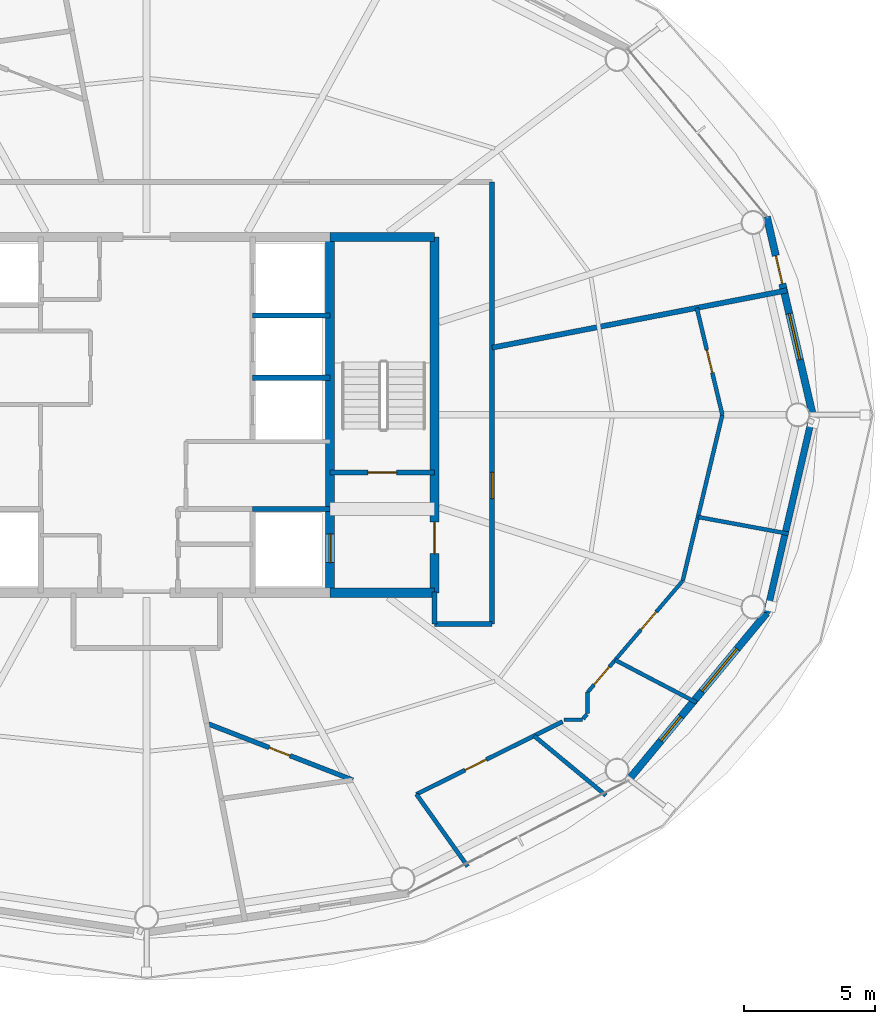
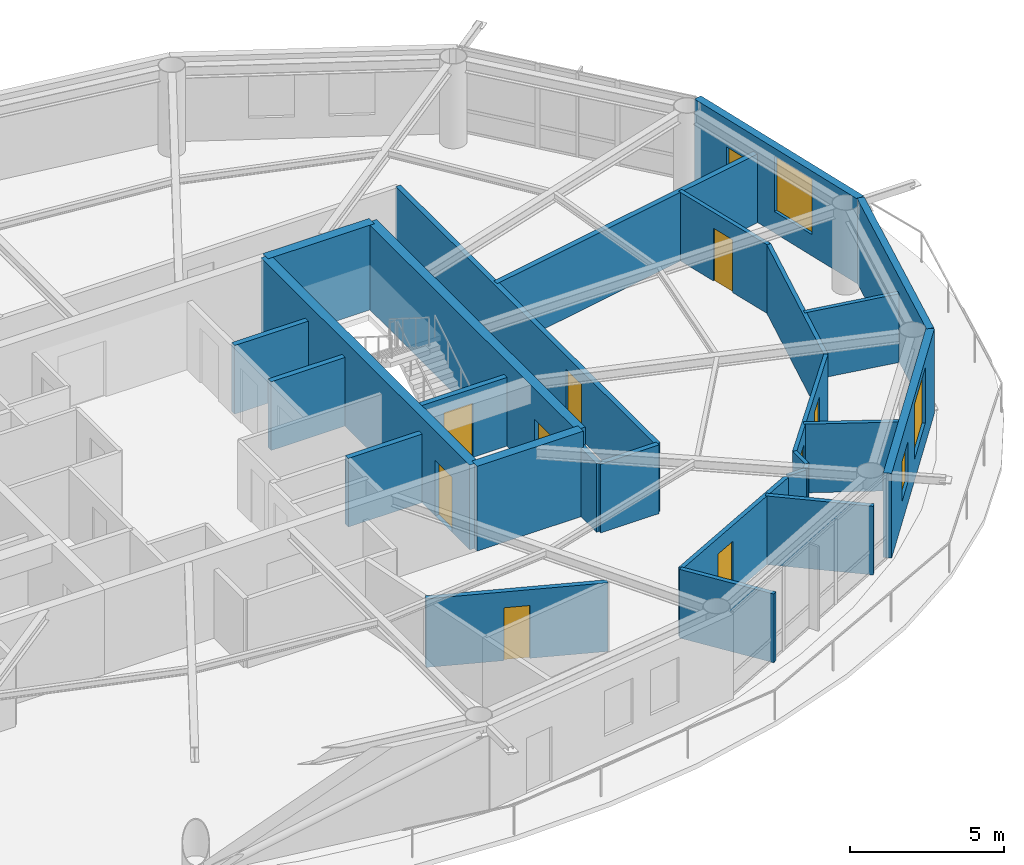
# One storey, part 17 of 21: 27 walls, 10 doors, 3 windows, 13 openings.
"""IFC4 building model written with IfcOpenShell, lengths in metres."""

from ifc_helpers import new_model, si_unit, direction, frame, frame_2d, origin, place, context, subcontext, project, spatial, rectangle, extrude, material, layer, layer_set, type_object, element, fill, save


model = new_model("IFC4")

# Units and contexts
model_context = context("Model", 3, precision=1e-05, world=origin(), true_north=direction((0.0, 1.0)))
body_context = subcontext(model_context, "Body", "Model", "MODEL_VIEW")
ifc_project = project(units=[si_unit("LENGTHUNIT", "METRE"), si_unit("AREAUNIT", "SQUARE_METRE"), si_unit("VOLUMEUNIT", "CUBIC_METRE"), si_unit("PLANEANGLEUNIT", "RADIAN"), si_unit("MASSUNIT", "GRAM", prefix="KILO")], contexts=[model_context])

# Site, building, storey
site_placement = place(None, origin())
site = spatial("IfcSite", under=ifc_project, at=site_placement, CompositionType="ELEMENT")
building_placement = place(site_placement, origin())
building = spatial("IfcBuilding", under=site, at=building_placement, Name="Sarneth Arch Tower", CompositionType="ELEMENT")
storey_placement = place(building_placement, frame((0.0, 0.0, 309.0)))
storey = spatial("IfcBuildingStorey", under=building, at=storey_placement, Name="L80", CompositionType="ELEMENT", Elevation=309.0)

# Walls
ifc_material_1 = material(Name="Concrete C50/60", Category="concrete")
ifc_layer_1 = layer(ifc_material_1, 0.35009765625)
ifc_layer_set_1 = layer_set([ifc_layer_1], Name="Concrete C50/60")
wall_type_1 = type_object("IfcWallType", Name="WALL-CORE-350", PredefinedType="SHEAR", material=ifc_layer_set_1)
for number, where, z_axis, x_axis, name in (
    (1, (55.0, 35.199951171875, 0.0), (0.0, 0.0, 1.0), (1.0, 0.0, 0.0), "L80 Core shear wall S-E"),
    (2, (55.0, 48.800048828125, 0.0), (0.0, 0.0, 1.0), (1.0, 0.0, 0.0), "L80 Core shear wall N-E"),
):
    element("IfcWall", number, at=place(storey_placement, frame(where, z_axis=z_axis, x_axis=x_axis)), inside=storey, type_object=wall_type_1, Name=name, PredefinedType="SHEAR", context=body_context, shape_type="SweptSolid", body=[
        extrude(rectangle(XDim=4.0, YDim=0.35009765625, at=frame_2d((2.0, 0.0))), origin(), (0.0, 0.0, 1.0), 3.3701171875),
    ])

# Wall, opening, door
wall_1_placement = place(storey_placement, frame((59.0, 35.199951171875, 0.0), z_axis=(0.0, 0.0, 1.0), x_axis=(0.0, 1.0, 0.0)))
wall_1 = element("IfcWall", 3, at=wall_1_placement, inside=storey, type_object=wall_type_1, Name="L80 Core shear wall E", PredefinedType="SHEAR", context=body_context, shape_type="SweptSolid", body=[
    extrude(rectangle(XDim=13.60009765625, YDim=0.35009765625, at=frame_2d((6.800048828125, 0.0))), origin(), (0.0, 0.0, 1.0), 3.3701171875),
])
opening_1_placement = place(wall_1_placement, frame((1.5, 0.0, 0.0)))
opening_1 = element("IfcOpeningElement", 4, at=opening_1_placement, cuts=wall_1, Name="Opening FD-02", PredefinedType="OPENING", context=body_context, shape_type="SweptSolid", body=[
    extrude(rectangle(XDim=1.199951171875, YDim=2.14990234375, at=frame_2d((0.60009765625, 1.074951171875))), frame((0.0, 0.18505859375, 0.0), z_axis=(0.0, -1.0, 0.0), x_axis=(1.0, 0.0, 0.0)), (0.0, 0.0, 1.0), 0.3701171875),
])
ifc_material_2 = material(Name="Galvanised Steel S275 fire door set", Category="steel")
door_type_1 = type_object("IfcDoorType", Name="DR-FD90-1200", OperationType="SINGLE_SWING_LEFT", PredefinedType="DOOR", material=ifc_material_2)
door_1_placement = place(opening_1_placement, origin())
door_1 = element("IfcDoor", 5, at=door_1_placement, inside=storey, type_object=door_type_1, Name="L80 Firefighting lobby 2 exit door", OperationType="SINGLE_SWING_RIGHT", OverallHeight=2.14990234375, OverallWidth=1.199951171875, PredefinedType="DOOR", context=body_context, shape_type="SweptSolid", body=[
    extrude(rectangle(XDim=1.199951171875, YDim=2.14990234375, at=frame_2d((0.60009765625, 1.074951171875))), frame((0.0, 0.02490234375, 0.0), z_axis=(0.0, -1.0, 0.0), x_axis=(1.0, 0.0, 0.0)), (0.0, 0.0, 1.0), 0.050048828125),
])
fill(opening_1, door_1)

wall_2_placement = place(storey_placement, frame((55.0, 35.199951171875, 0.0), z_axis=(0.0, 0.0, 1.0), x_axis=(0.0, 1.0, 0.0)))
wall_2 = element("IfcWall", 6, at=wall_2_placement, inside=storey, type_object=wall_type_1, Name="L80 Core shear wall WEB-E", PredefinedType="SHEAR", context=body_context, shape_type="SweptSolid", body=[
    extrude(rectangle(XDim=13.60009765625, YDim=0.35009765625, at=frame_2d((6.800048828125, 0.0))), origin(), (0.0, 0.0, 1.0), 3.3701171875),
])
opening_2_placement = place(wall_2_placement, frame((1.14990234375, 0.0, 0.0)))
opening_2 = element("IfcOpeningElement", 7, at=opening_2_placement, cuts=wall_2, Name="Opening LD-1", PredefinedType="OPENING", context=body_context, shape_type="SweptSolid", body=[
    extrude(rectangle(XDim=1.10009765625, YDim=2.199951171875, at=frame_2d((0.550048828125, 1.10009765625))), frame((0.0, 0.18505859375, 0.0), z_axis=(0.0, -1.0, 0.0), x_axis=(1.0, 0.0, 0.0)), (0.0, 0.0, 1.0), 0.3701171875),
])
ifc_material_3 = material(Name="Brushed Stainless Steel 304 lift landing door", Category="steel")
door_type_2 = type_object("IfcDoorType", Name="DR-LIFT-SLIDE-1100", OperationType="SLIDING_TO_LEFT", PredefinedType="DOOR", material=ifc_material_3)
door_2_placement = place(opening_2_placement, origin())
door_2 = element("IfcDoor", 8, at=door_2_placement, inside=storey, type_object=door_type_2, Name="L80 Firefighting lift landing door FL-2", OperationType="SLIDING_TO_RIGHT", OverallHeight=2.199951171875, OverallWidth=1.10009765625, PredefinedType="DOOR", context=body_context, shape_type="SweptSolid", body=[
    extrude(rectangle(XDim=1.10009765625, YDim=2.199951171875, at=frame_2d((0.550048828125, 1.10009765625))), frame((0.0, 0.02490234375, 0.0), z_axis=(0.0, -1.0, 0.0), x_axis=(1.0, 0.0, 0.0)), (0.0, 0.0, 1.0), 0.050048828125),
])
fill(opening_2, door_2)

ifc_material_4 = material(Name="Double steel-stud corridor fire wall", Category="steel")
ifc_layer_2 = layer(ifc_material_4, 0.18994140625)
ifc_layer_set_2 = layer_set([ifc_layer_2], Name="Double steel-stud corridor fire wall")
wall_type_2 = type_object("IfcWallType", Name="WALL-CORR-190", PredefinedType="PARTITIONING", material=ifc_layer_set_2)
wall_3_placement = place(storey_placement, frame((61.199951171875, 50.89990234375, 0.0), z_axis=(0.0, 0.0, 1.0), x_axis=(0.0, -1.0, 0.0)))
wall_3 = element("IfcWall", 9, at=wall_3_placement, inside=storey, type_object=wall_type_2, Name="L80 Interior partition W-L80-TP-008", PredefinedType="PARTITIONING", context=body_context, shape_type="SweptSolid", body=[
    extrude(rectangle(XDim=16.89990234375, YDim=0.18994140625, at=frame_2d((8.449951171875, 0.0))), origin(), (0.0, 0.0, 1.0), 2.72998046875),
])
opening_3_placement = place(wall_3_placement, frame((11.100830078125, 0.0, 0.0)))
opening_3 = element("IfcOpeningElement", 10, at=opening_3_placement, cuts=wall_3, Name="Opening FD-08", PredefinedType="OPENING", context=body_context, shape_type="SweptSolid", body=[
    extrude(rectangle(XDim=1.0, YDim=2.199951171875, at=frame_2d((0.5, 1.10009765625))), frame((0.0, 0.10498046875, 0.0), z_axis=(0.0, -1.0, 0.0), x_axis=(1.0, 0.0, 0.0)), (0.0, 0.0, 1.0), 0.2099609375),
])
ifc_material_5 = material(Name="Hardwood timber acoustic fire door", Category="wood")
door_type_3 = type_object("IfcDoorType", Name="DR-FD60-1000", OperationType="SINGLE_SWING_LEFT", PredefinedType="DOOR", material=ifc_material_5)
door_3_placement = place(opening_3_placement, origin())
door_3 = element("IfcDoor", 11, at=door_3_placement, inside=storey, type_object=door_type_3, Name="L80 Interior door DR-L80-U4-ENT", OperationType="SINGLE_SWING_RIGHT", OverallHeight=2.199951171875, OverallWidth=1.0, PredefinedType="DOOR", context=body_context, shape_type="SweptSolid", body=[
    extrude(rectangle(XDim=1.0, YDim=2.199951171875, at=frame_2d((0.5, 1.10009765625))), frame((0.0, 0.02490234375, 0.0), z_axis=(0.0, -1.0, 0.0), x_axis=(1.0, 0.0, 0.0)), (0.0, 0.0, 1.0), 0.050048828125),
])
fill(opening_3, door_3)

# Walls
wall_4_placement = place(storey_placement, frame((61.199951171875, 34.0, 0.0), z_axis=(0.0, 0.0, 1.0), x_axis=(-1.0, 0.0, 0.0)))
element("IfcWall", 12, at=wall_4_placement, inside=storey, type_object=wall_type_2, Name="L80 Interior partition W-L80-TP-009", PredefinedType="PARTITIONING", context=body_context, shape_type="SweptSolid", body=[
    extrude(rectangle(XDim=2.199951171875, YDim=0.18994140625, at=frame_2d((1.10009765625, 0.0))), origin(), (0.0, 0.0, 1.0), 2.72998046875),
])
wall_5_placement = place(storey_placement, frame((59.0, 34.0, 0.0), z_axis=(0.0, 0.0, 1.0), x_axis=(0.0, 1.0, 0.0)))
element("IfcWall", 13, at=wall_5_placement, inside=storey, type_object=wall_type_2, Name="L80 Interior partition W-L80-TP-010", PredefinedType="PARTITIONING", context=body_context, shape_type="SweptSolid", body=[
    extrude(rectangle(XDim=1.23193359375, YDim=0.18994140625, at=frame_2d((0.615966796875, 0.0))), origin(), (0.0, 0.0, 1.0), 2.72998046875),
])
ifc_material_6 = material(Name="Extruded terracotta rainscreen on Concrete C40/50 backing", Category="masonry")
ifc_layer_3 = layer(ifc_material_6, 0.25)
ifc_layer_set_3 = layer_set([ifc_layer_3], Name="Extruded terracotta rainscreen on Concrete C40/50 backing")
wall_type_3 = type_object("IfcWallType", Name="WALL-EXT-SPAND-250", PredefinedType="SOLIDWALL", material=ifc_layer_set_3)
wall_6_placement = place(storey_placement, frame((71.69384765625, 34.430419921875, 0.0), z_axis=(0.0, 0.0, 1.0), x_axis=(0.225635078214, 0.974211892495, 0.0)))
element("IfcWall", 14, at=wall_6_placement, inside=storey, type_object=wall_type_3, Name="L80 Terracotta perimeter wall 16", PredefinedType="SOLIDWALL", context=body_context, shape_type="SweptSolid", body=[
    extrude(rectangle(XDim=7.77001953125, YDim=0.25, at=frame_2d((3.885009765625, 0.0))), origin(), (0.0, 0.0, 1.0), 3.3701171875),
])

# Wall, openings, door, window
ifc_material_7 = material(Name="Extruded terracotta rainscreen on Concrete C40/50 backing", Category="masonry")
ifc_layer_4 = layer(ifc_material_7, 0.280029296875)
ifc_layer_set_4 = layer_set([ifc_layer_4], Name="Extruded terracotta rainscreen on Concrete C40/50 backing")
wall_type_4 = type_object("IfcWallType", Name="WALL-EXT-TERRA-280", PredefinedType="SOLIDWALL", material=ifc_layer_set_4)
wall_7_placement = place(storey_placement, frame((73.447021484375, 42.0, 0.0), z_axis=(0.0, 0.0, 1.0), x_axis=(-0.225635078214, 0.974211892495, 0.0)))
wall_7 = element("IfcWall", 15, at=wall_7_placement, inside=storey, type_object=wall_type_4, Name="L80 Terracotta perimeter wall 01", PredefinedType="SOLIDWALL", context=body_context, shape_type="SweptSolid", body=[
    extrude(rectangle(XDim=7.77001953125, YDim=0.280029296875, at=frame_2d((3.885009765625, 0.0))), origin(), (0.0, 0.0, 1.0), 3.3701171875),
])
opening_4_placement = place(wall_7_placement, frame((2.165771484375, 0.0, 0.85009765625)))
opening_4 = element("IfcOpeningElement", 16, at=opening_4_placement, cuts=wall_7, Name="Opening W-04", PredefinedType="OPENING", context=body_context, shape_type="SweptSolid", body=[
    extrude(rectangle(XDim=1.800048828125, YDim=2.199951171875, at=frame_2d((0.89990234375, 1.10009765625))), frame((0.0, 0.14990234375, 0.0), z_axis=(0.0, -1.0, 0.0), x_axis=(1.0, 0.0, 0.0)), (0.0, 0.0, 1.0), 0.300048828125),
])
opening_5_placement = place(wall_7_placement, frame((5.14208984375, 0.0, 0.0)))
opening_5 = element("IfcOpeningElement", 17, at=opening_5_placement, cuts=wall_7, Name="Opening BD-3", PredefinedType="OPENING", context=body_context, shape_type="SweptSolid", body=[
    extrude(rectangle(XDim=1.10009765625, YDim=2.25, at=frame_2d((0.550048828125, 1.125))), frame((0.0, 0.14990234375, 0.0), z_axis=(0.0, -1.0, 0.0), x_axis=(1.0, 0.0, 0.0)), (0.0, 0.0, 1.0), 0.300048828125),
])
ifc_material_8 = material(Name="Thermally broken Aluminium 6063-T6 and laminated safety glass", Category="aluminium")
door_type_4 = type_object("IfcDoorType", Name="DR-BALC-GLZ-1100", OperationType="SINGLE_SWING_LEFT", PredefinedType="DOOR", material=ifc_material_8)
door_4_placement = place(opening_5_placement, origin())
door_4 = element("IfcDoor", 18, at=door_4_placement, inside=storey, type_object=door_type_4, Name="L80 Balcony glazed door 01", OperationType="SINGLE_SWING_LEFT", OverallHeight=2.25, OverallWidth=1.10009765625, PredefinedType="DOOR", context=body_context, shape_type="SweptSolid", body=[
    extrude(rectangle(XDim=1.10009765625, YDim=2.25, at=frame_2d((0.550048828125, 1.125))), frame((0.0, 0.02490234375, 0.0), z_axis=(0.0, -1.0, 0.0), x_axis=(1.0, 0.0, 0.0)), (0.0, 0.0, 1.0), 0.050048828125),
])
fill(opening_5, door_4)
ifc_material_9 = material(Name="Thermally broken Aluminium 6063-T6 and low-e laminated IGU", Category="aluminium")
window_type_1 = type_object("IfcWindowType", Name="WIN-TWR-1800x2200", PartitioningType="DOUBLE_PANEL_VERTICAL", PredefinedType="WINDOW", material=ifc_material_9)
window_1_placement = place(opening_4_placement, origin())
window_1 = element("IfcWindow", 19, at=window_1_placement, inside=storey, type_object=window_type_1, Name="L80 Exterior window 01A", OverallHeight=2.199951171875, OverallWidth=1.800048828125, PartitioningType="SINGLE_PANEL", PredefinedType="WINDOW", context=body_context, shape_type="SweptSolid", body=[
    extrude(rectangle(XDim=1.800048828125, YDim=2.199951171875, at=frame_2d((0.89990234375, 1.10009765625))), frame((0.0, 0.030029296875, 0.0), z_axis=(0.0, -1.0, 0.0), x_axis=(1.0, 0.0, 0.0)), (0.0, 0.0, 1.0), 0.06005859375),
])
fill(opening_4, window_1)

# Wall, openings, windows
wall_8_placement = place(storey_placement, frame((66.382568359375, 28.013427734375, 0.0), z_axis=(0.0, 0.0, 1.0), x_axis=(0.63761509934, 0.770355103243, 0.0)))
wall_8 = element("IfcWall", 20, at=wall_8_placement, inside=storey, type_object=wall_type_4, Name="L80 Terracotta perimeter wall 15", PredefinedType="SOLIDWALL", context=body_context, shape_type="SweptSolid", body=[
    extrude(rectangle(XDim=8.329833984375, YDim=0.280029296875, at=frame_2d((4.1650390625, 0.0))), origin(), (0.0, 0.0, 1.0), 3.3701171875),
])
opening_6_placement = place(wall_8_placement, frame((1.993408203125, 0.0, 0.85009765625)))
opening_6 = element("IfcOpeningElement", 21, at=opening_6_placement, cuts=wall_8, Name="Opening W-10", PredefinedType="OPENING", context=body_context, shape_type="SweptSolid", body=[
    extrude(rectangle(XDim=1.199951171875, YDim=1.60009765625, at=frame_2d((0.60009765625, 0.800048828125))), frame((0.0, 0.14990234375, 0.0), z_axis=(0.0, -1.0, 0.0), x_axis=(1.0, 0.0, 0.0)), (0.0, 0.0, 1.0), 0.300048828125),
])
opening_7_placement = place(wall_8_placement, frame((4.448486328125, 0.0, 0.85009765625)))
opening_7 = element("IfcOpeningElement", 22, at=opening_7_placement, cuts=wall_8, Name="Opening W-03", PredefinedType="OPENING", context=body_context, shape_type="SweptSolid", body=[
    extrude(rectangle(XDim=2.10009765625, YDim=2.199951171875, at=frame_2d((1.050048828125, 1.10009765625))), frame((0.0, 0.14990234375, 0.0), z_axis=(0.0, -1.0, 0.0), x_axis=(1.0, 0.0, 0.0)), (0.0, 0.0, 1.0), 0.300048828125),
])
ifc_material_10 = material(Name="Thermally broken Aluminium 6063-T6 and low-e laminated IGU", Category="aluminium")
window_type_2 = type_object("IfcWindowType", Name="WIN-TWR-1200x1600", PartitioningType="SINGLE_PANEL", PredefinedType="WINDOW", material=ifc_material_10)
window_2_placement = place(opening_6_placement, origin())
window_2 = element("IfcWindow", 23, at=window_2_placement, inside=storey, type_object=window_type_2, Name="L80 Exterior window 15A", OverallHeight=1.60009765625, OverallWidth=1.199951171875, PartitioningType="SINGLE_PANEL", PredefinedType="WINDOW", context=body_context, shape_type="SweptSolid", body=[
    extrude(rectangle(XDim=1.199951171875, YDim=1.60009765625, at=frame_2d((0.60009765625, 0.800048828125))), frame((0.0, 0.030029296875, 0.0), z_axis=(0.0, -1.0, 0.0), x_axis=(1.0, 0.0, 0.0)), (0.0, 0.0, 1.0), 0.06005859375),
])
fill(opening_6, window_2)
ifc_material_11 = material(Name="Thermally broken Aluminium 6063-T6 and low-e laminated IGU", Category="aluminium")
window_type_3 = type_object("IfcWindowType", Name="WIN-TWR-2100x2200", PartitioningType="DOUBLE_PANEL_VERTICAL", PredefinedType="WINDOW", material=ifc_material_11)
window_3_placement = place(opening_7_placement, origin())
window_3 = element("IfcWindow", 24, at=window_3_placement, inside=storey, type_object=window_type_3, Name="L80 Exterior window 15B", OverallHeight=2.199951171875, OverallWidth=2.10009765625, PartitioningType="SINGLE_PANEL", PredefinedType="WINDOW", context=body_context, shape_type="SweptSolid", body=[
    extrude(rectangle(XDim=2.10009765625, YDim=2.199951171875, at=frame_2d((1.050048828125, 1.10009765625))), frame((0.0, 0.030029296875, 0.0), z_axis=(0.0, -1.0, 0.0), x_axis=(1.0, 0.0, 0.0)), (0.0, 0.0, 1.0), 0.06005859375),
])
fill(opening_7, window_3)

# Wall, openings, doors
ifc_material_12 = material(Name="Apartment internal stud partition", Category="gypsum")
ifc_layer_5 = layer(ifc_material_12, 0.139892578125)
ifc_layer_set_5 = layer_set([ifc_layer_5], Name="Apartment internal stud partition")
wall_type_5 = type_object("IfcWallType", Name="WALL-PART-140", PredefinedType="PARTITIONING", material=ifc_layer_set_5)
wall_9_placement = place(storey_placement, frame((68.48095703125, 35.655029296875, 0.0), z_axis=(0.0, 0.0, 1.0), x_axis=(-0.649186624806, -0.760629164688, 0.0)))
wall_9 = element("IfcWall", 25, at=wall_9_placement, inside=storey, type_object=wall_type_5, Name="L80 Interior partition W-L80-TP-054", PredefinedType="PARTITIONING", context=body_context, shape_type="SweptSolid", body=[
    extrude(rectangle(XDim=5.593017578125, YDim=0.139892578125, at=frame_2d((2.79638671875, 0.0))), origin(), (0.0, 0.0, 1.0), 2.72998046875),
])
opening_8_placement = place(wall_9_placement, frame((1.553466796875, 0.0, 0.0)))
opening_8 = element("IfcOpeningElement", 26, at=opening_8_placement, cuts=wall_9, Name="Opening ID-01", PredefinedType="OPENING", context=body_context, shape_type="SweptSolid", body=[
    extrude(rectangle(XDim=0.89990234375, YDim=2.10009765625, at=frame_2d((0.449951171875, 1.050048828125))), frame((0.0, 0.079833984375, 0.0), z_axis=(0.0, -1.0, 0.0), x_axis=(1.0, 0.0, 0.0)), (0.0, 0.0, 1.0), 0.159912109375),
])
opening_9_placement = place(wall_9_placement, frame((4.317138671875, 0.0, 0.0)))
opening_9 = element("IfcOpeningElement", 27, at=opening_9_placement, cuts=wall_9, Name="Opening ID-01", PredefinedType="OPENING", context=body_context, shape_type="SweptSolid", body=[
    extrude(rectangle(XDim=0.89990234375, YDim=2.10009765625, at=frame_2d((0.449951171875, 1.050048828125))), frame((0.0, 0.079833984375, 0.0), z_axis=(0.0, -1.0, 0.0), x_axis=(1.0, 0.0, 0.0)), (0.0, 0.0, 1.0), 0.159912109375),
])
ifc_material_13 = material(Name="Engineered hardwood flush door", Category="wood")
door_type_5 = type_object("IfcDoorType", Name="DR-INT-900", OperationType="SINGLE_SWING_LEFT", PredefinedType="DOOR", material=ifc_material_13)
door_5_placement = place(opening_8_placement, origin())
door_5 = element("IfcDoor", 28, at=door_5_placement, inside=storey, type_object=door_type_5, Name="L80 Interior door DR-L80-U4-BED2", OperationType="SINGLE_SWING_LEFT", OverallHeight=2.10009765625, OverallWidth=0.89990234375, PredefinedType="DOOR", context=body_context, shape_type="SweptSolid", body=[
    extrude(rectangle(XDim=0.89990234375, YDim=2.10009765625, at=frame_2d((0.449951171875, 1.050048828125))), frame((0.0, 0.02490234375, 0.0), z_axis=(0.0, -1.0, 0.0), x_axis=(1.0, 0.0, 0.0)), (0.0, 0.0, 1.0), 0.050048828125),
])
fill(opening_8, door_5)
door_6_placement = place(opening_9_placement, origin())
door_6 = element("IfcDoor", 29, at=door_6_placement, inside=storey, type_object=door_type_5, Name="L80 Interior door DR-L80-U4-BED1", OperationType="SINGLE_SWING_RIGHT", OverallHeight=2.10009765625, OverallWidth=0.89990234375, PredefinedType="DOOR", context=body_context, shape_type="SweptSolid", body=[
    extrude(rectangle(XDim=0.89990234375, YDim=2.10009765625, at=frame_2d((0.449951171875, 1.050048828125))), frame((0.0, 0.02490234375, 0.0), z_axis=(0.0, -1.0, 0.0), x_axis=(1.0, 0.0, 0.0)), (0.0, 0.0, 1.0), 0.050048828125),
])
fill(opening_9, door_6)

# Wall, opening, door
ifc_material_14 = material(Name="Acoustic gypsum stud partition", Category="gypsum")
ifc_layer_6 = layer(ifc_material_14, 0.14990234375)
ifc_layer_set_6 = layer_set([ifc_layer_6], Name="Acoustic gypsum stud partition")
wall_type_6 = type_object("IfcWallType", Name="WALL-PART-150", PredefinedType="PARTITIONING", material=ifc_layer_set_6)
wall_10_placement = place(storey_placement, frame((69.996337890625, 42.0, 0.0), z_axis=(0.0, 0.0, 1.0), x_axis=(-0.23229355625, 0.972645723645, 0.0)))
wall_10 = element("IfcWall", 30, at=wall_10_placement, inside=storey, type_object=wall_type_6, Name="L80 Interior partition W-L80-TP-056", PredefinedType="PARTITIONING", context=body_context, shape_type="SweptSolid", body=[
    extrude(rectangle(XDim=4.200927734375, YDim=0.14990234375, at=frame_2d((2.1005859375, 0.0))), origin(), (0.0, 0.0, 1.0), 2.72998046875),
])
opening_10_placement = place(wall_10_placement, frame((1.650390625, 0.0, 0.0)))
opening_10 = element("IfcOpeningElement", 31, at=opening_10_placement, cuts=wall_10, Name="Opening ID-01", PredefinedType="OPENING", context=body_context, shape_type="SweptSolid", body=[
    extrude(rectangle(XDim=0.89990234375, YDim=2.10009765625, at=frame_2d((0.449951171875, 1.050048828125))), frame((0.0, 0.0849609375, 0.0), z_axis=(0.0, -1.0, 0.0), x_axis=(1.0, 0.0, 0.0)), (0.0, 0.0, 1.0), 0.169921875),
])
door_7_placement = place(opening_10_placement, origin())
door_7 = element("IfcDoor", 32, at=door_7_placement, inside=storey, type_object=door_type_5, Name="L80 Interior door DR-L80-U4-BED3", OperationType="SINGLE_SWING_LEFT", OverallHeight=2.10009765625, OverallWidth=0.89990234375, PredefinedType="DOOR", context=body_context, shape_type="SweptSolid", body=[
    extrude(rectangle(XDim=0.89990234375, YDim=2.10009765625, at=frame_2d((0.449951171875, 1.050048828125))), frame((0.0, 0.02490234375, 0.0), z_axis=(0.0, -1.0, 0.0), x_axis=(1.0, 0.0, 0.0)), (0.0, 0.0, 1.0), 0.050048828125),
])
fill(opening_10, door_7)

# Walls
wall_11_placement = place(storey_placement, frame((68.48095703125, 35.655029296875, 0.0), z_axis=(0.0, 0.0, 1.0), x_axis=(0.232298462197, 0.972644551962, 0.0)))
element("IfcWall", 33, at=wall_11_placement, inside=storey, type_object=wall_type_6, Name="L80 Interior partition W-L80-TP-055", PredefinedType="PARTITIONING", context=body_context, shape_type="SweptSolid", body=[
    extrude(rectangle(XDim=6.5234375, YDim=0.14990234375, at=frame_2d((3.26171875, 0.0))), origin(), (0.0, 0.0, 1.0), 2.72998046875),
])
wall_12_placement = place(storey_placement, frame((72.517822265625, 37.456787109375, 0.0), z_axis=(0.0, 0.0, 1.0), x_axis=(-0.983264946239, 0.182181353322, 0.0)))
element("IfcWall", 34, at=wall_12_placement, inside=storey, type_object=wall_type_6, Name="L80 Interior partition W-L80-TP-059", PredefinedType="PARTITIONING", context=body_context, shape_type="SweptSolid", body=[
    extrude(rectangle(XDim=3.512451171875, YDim=0.14990234375, at=frame_2d((1.75634765625, 0.0))), origin(), (0.0, 0.0, 1.0), 2.72998046875),
])
wall_13_placement = place(storey_placement, frame((65.90087890625, 32.63232421875, 0.0), z_axis=(0.0, 0.0, 1.0), x_axis=(0.886011177193, -0.463663880293, 0.0)))
element("IfcWall", 35, at=wall_13_placement, inside=storey, type_object=wall_type_6, Name="L80 Interior partition W-L80-TP-058", PredefinedType="PARTITIONING", context=body_context, shape_type="SweptSolid", body=[
    extrude(rectangle(XDim=3.510009765625, YDim=0.14990234375, at=frame_2d((1.7548828125, 0.0))), origin(), (0.0, 0.0, 1.0), 2.72998046875),
])
wall_14_placement = place(storey_placement, frame((64.85009765625, 31.401123046875, 0.0), z_axis=(0.0, 0.0, 1.0), x_axis=(0.0, -1.0, 0.0)))
element("IfcWall", 36, at=wall_14_placement, inside=storey, type_object=wall_type_6, Name="L80 Interior partition W-L80-TP-049", PredefinedType="PARTITIONING", context=body_context, shape_type="SweptSolid", body=[
    extrude(rectangle(XDim=0.8115234375, YDim=0.14990234375, at=frame_2d((0.40576171875, 0.0))), origin(), (0.0, 0.0, 1.0), 2.72998046875),
])
wall_15_placement = place(storey_placement, frame((64.6455078125, 30.35009765625, 0.0), z_axis=(0.0, 0.0, 1.0), x_axis=(-1.0, 0.0, 0.0)))
element("IfcWall", 37, at=wall_15_placement, inside=storey, type_object=wall_type_6, Name="L80 Interior partition W-L80-TP-051", PredefinedType="PARTITIONING", context=body_context, shape_type="SweptSolid", body=[
    extrude(rectangle(XDim=0.692626953125, YDim=0.14990234375, at=frame_2d((0.34619140625, 0.0))), origin(), (0.0, 0.0, 1.0), 2.72998046875),
])
wall_16_placement = place(storey_placement, frame((64.823974609375, 30.559326171875, 0.0), z_axis=(0.0, 0.0, 1.0), x_axis=(-0.648874632887, -0.760895334981, 0.0)))
element("IfcWall", 38, at=wall_16_placement, inside=storey, type_object=wall_type_6, Name="L80 Interior partition W-L80-TP-050", PredefinedType="PARTITIONING", context=body_context, shape_type="SweptSolid", body=[
    extrude(rectangle(XDim=0.23095703125, YDim=0.14990234375, at=frame_2d((0.115478515625, 0.0))), origin(), (0.0, 0.0, 1.0), 2.72998046875),
])

# Wall, opening, door
ifc_material_15 = material(Name="Kitchen wet service chase wall", Category="gypsum")
ifc_layer_7 = layer(ifc_material_15, 0.159912109375)
ifc_layer_set_7 = layer_set([ifc_layer_7], Name="Kitchen wet service chase wall")
wall_type_7 = type_object("IfcWallType", Name="WALL-PLUMB-160", PredefinedType="PLUMBINGWALL", material=ifc_layer_set_7)
wall_17_placement = place(storey_placement, frame((63.889892578125, 30.276123046875, 0.0), z_axis=(0.0, 0.0, 1.0), x_axis=(-0.895583517023, -0.444893429977, 0.0)))
wall_17 = element("IfcWall", 39, at=wall_17_placement, inside=storey, type_object=wall_type_7, Name="L80 Interior partition W-L80-TP-044", PredefinedType="PLUMBINGWALL", context=body_context, shape_type="SweptSolid", body=[
    extrude(rectangle(XDim=6.2333984375, YDim=0.159912109375, at=frame_2d((3.11669921875, 0.0))), origin(), (0.0, 0.0, 1.0), 2.72998046875),
])
opening_11_placement = place(wall_17_placement, frame((3.257080078125, 0.0, 0.0)))
opening_11 = element("IfcOpeningElement", 40, at=opening_11_placement, cuts=wall_17, Name="Opening ID-01", PredefinedType="OPENING", context=body_context, shape_type="SweptSolid", body=[
    extrude(rectangle(XDim=0.89990234375, YDim=2.10009765625, at=frame_2d((0.449951171875, 1.050048828125))), frame((0.0, 0.08984375, 0.0), z_axis=(0.0, -1.0, 0.0), x_axis=(1.0, 0.0, 0.0)), (0.0, 0.0, 1.0), 0.179931640625),
])
door_8_placement = place(opening_11_placement, origin())
door_8 = element("IfcDoor", 41, at=door_8_placement, inside=storey, type_object=door_type_5, Name="L80 Interior door DR-L80-U4-KIT", OperationType="SINGLE_SWING_RIGHT", OverallHeight=2.10009765625, OverallWidth=0.89990234375, PredefinedType="DOOR", context=body_context, shape_type="SweptSolid", body=[
    extrude(rectangle(XDim=0.89990234375, YDim=2.10009765625, at=frame_2d((0.449951171875, 1.050048828125))), frame((0.0, 0.02490234375, 0.0), z_axis=(0.0, -1.0, 0.0), x_axis=(1.0, 0.0, 0.0)), (0.0, 0.0, 1.0), 0.050048828125),
])
fill(opening_11, door_8)

# Walls
wall_18_placement = place(storey_placement, frame((65.54541015625, 27.460693359375, 0.0), z_axis=(0.0, 0.0, 1.0), x_axis=(-0.770009063214, 0.63803294787, 0.0)))
element("IfcWall", 42, at=wall_18_placement, inside=storey, type_object=wall_type_7, Name="L80 Interior partition W-L80-TP-057", PredefinedType="PLUMBINGWALL", context=body_context, shape_type="SweptSolid", body=[
    extrude(rectangle(XDim=3.564697265625, YDim=0.159912109375, at=frame_2d((1.7822265625, 0.0))), origin(), (0.0, 0.0, 1.0), 2.72998046875),
])
wall_19_placement = place(storey_placement, frame((58.307373046875, 27.5029296875, 0.0), z_axis=(0.0, 0.0, 1.0), x_axis=(0.579474768135, -0.814990179754, 0.0)))
element("IfcWall", 43, at=wall_19_placement, inside=storey, type_object=wall_type_7, Name="L80 Interior partition W-L80-TP-045", PredefinedType="PLUMBINGWALL", context=body_context, shape_type="SweptSolid", body=[
    extrude(rectangle(XDim=3.38134765625, YDim=0.159912109375, at=frame_2d((1.690673828125, 0.0))), origin(), (0.0, 0.0, 1.0), 2.72998046875),
])

# Wall, opening, door
ifc_material_16 = material(Name="Moisture-resistant plumbing chase wall", Category="gypsum")
ifc_layer_8 = layer(ifc_material_16, 0.179931640625)
ifc_layer_set_8 = layer_set([ifc_layer_8], Name="Moisture-resistant plumbing chase wall")
wall_type_8 = type_object("IfcWallType", Name="WALL-PLUMB-180", PredefinedType="PLUMBINGWALL", material=ifc_layer_set_8)
wall_20_placement = place(storey_placement, frame((50.29052734375, 30.21630859375, 0.0), z_axis=(0.0, 0.0, 1.0), x_axis=(0.932120865565, -0.362147334628, 0.0)))
wall_20 = element("IfcWall", 44, at=wall_20_placement, inside=storey, type_object=wall_type_8, Name="L80 Interior partition W-L80-TP-046", PredefinedType="PLUMBINGWALL", context=body_context, shape_type="SweptSolid", body=[
    extrude(rectangle(XDim=5.9912109375, YDim=0.179931640625, at=frame_2d((2.99560546875, 0.0))), origin(), (0.0, 0.0, 1.0), 2.72998046875),
])
opening_12_placement = place(wall_20_placement, frame((2.570556640625, 0.0, 0.0)))
opening_12 = element("IfcOpeningElement", 45, at=opening_12_placement, cuts=wall_20, Name="Opening ID-02", PredefinedType="OPENING", context=body_context, shape_type="SweptSolid", body=[
    extrude(rectangle(XDim=0.85009765625, YDim=2.10009765625, at=frame_2d((0.425048828125, 1.050048828125))), frame((0.0, 0.099853515625, 0.0), z_axis=(0.0, -1.0, 0.0), x_axis=(1.0, 0.0, 0.0)), (0.0, 0.0, 1.0), 0.199951171875),
])
ifc_material_17 = material(Name="Moisture-resistant bathroom timber door", Category="wood")
door_type_6 = type_object("IfcDoorType", Name="DR-INT-850", OperationType="SINGLE_SWING_RIGHT", PredefinedType="DOOR", material=ifc_material_17)
door_9_placement = place(opening_12_placement, origin())
door_9 = element("IfcDoor", 46, at=door_9_placement, inside=storey, type_object=door_type_6, Name="L80 Interior door DR-L80-U4-BATH", OperationType="SINGLE_SWING_RIGHT", OverallHeight=2.10009765625, OverallWidth=0.85009765625, PredefinedType="DOOR", context=body_context, shape_type="SweptSolid", body=[
    extrude(rectangle(XDim=0.85009765625, YDim=2.10009765625, at=frame_2d((0.425048828125, 1.050048828125))), frame((0.0, 0.02490234375, 0.0), z_axis=(0.0, -1.0, 0.0), x_axis=(1.0, 0.0, 0.0)), (0.0, 0.0, 1.0), 0.050048828125),
])
fill(opening_12, door_9)

ifc_material_18 = material(Name="Aerated concrete blockwork C25/30", Category="masonry")
ifc_layer_9 = layer(ifc_material_18, 0.199951171875)
ifc_layer_set_9 = layer_set([ifc_layer_9], Name="Aerated concrete blockwork C25/30")
wall_type_9 = type_object("IfcWallType", Name="WALL-SHAFT-200", PredefinedType="SOLIDWALL", material=ifc_layer_set_9)
wall_21_placement = place(storey_placement, frame((55.0, 39.800048828125, 0.0), z_axis=(0.0, 0.0, 1.0), x_axis=(1.0, 0.0, 0.0)))
wall_21 = element("IfcWall", 47, at=wall_21_placement, inside=storey, type_object=wall_type_9, Name="L80 Interior partition W-L80-ST2-S", PredefinedType="SOLIDWALL", context=body_context, shape_type="SweptSolid", body=[
    extrude(rectangle(XDim=4.0, YDim=0.199951171875, at=frame_2d((2.0, 0.0))), origin(), (0.0, 0.0, 1.0), 2.72998046875),
])
opening_13_placement = place(wall_21_placement, frame((1.449951171875, 0.0, 0.0)))
opening_13 = element("IfcOpeningElement", 48, at=opening_13_placement, cuts=wall_21, Name="Opening FD-03", PredefinedType="OPENING", context=body_context, shape_type="SweptSolid", body=[
    extrude(rectangle(XDim=1.10009765625, YDim=2.14990234375, at=frame_2d((0.550048828125, 1.074951171875))), frame((0.0, 0.10986328125, 0.0), z_axis=(0.0, -1.0, 0.0), x_axis=(1.0, 0.0, 0.0)), (0.0, 0.0, 1.0), 0.219970703125),
])
ifc_material_19 = material(Name="Galvanised Steel S275 fire door set", Category="steel")
door_type_7 = type_object("IfcDoorType", Name="DR-FD90-1100", OperationType="SINGLE_SWING_LEFT", PredefinedType="DOOR", material=ifc_material_19)
door_10_placement = place(opening_13_placement, origin())
door_10 = element("IfcDoor", 49, at=door_10_placement, inside=storey, type_object=door_type_7, Name="L80 Interior door DR-L80-ST2", OperationType="SINGLE_SWING_RIGHT", OverallHeight=2.14990234375, OverallWidth=1.10009765625, PredefinedType="DOOR", context=body_context, shape_type="SweptSolid", body=[
    extrude(rectangle(XDim=1.10009765625, YDim=2.14990234375, at=frame_2d((0.550048828125, 1.074951171875))), frame((0.0, 0.02490234375, 0.0), z_axis=(0.0, -1.0, 0.0), x_axis=(1.0, 0.0, 0.0)), (0.0, 0.0, 1.0), 0.050048828125),
])
fill(opening_13, door_10)

# Walls
for number, where, z_axis, x_axis, name in (
    (50, (52.050048828125, 38.39990234375, 0.0), (0.0, 0.0, 1.0), (1.0, 0.0, 0.0), "L80 Interior partition W-L80-FL2-N"),
    (51, (52.050048828125, 43.419921875, 0.0), (0.0, 0.0, 1.0), (1.0, 0.0, 0.0), "L80 Interior partition W-L80-EB-DIV-4342"),
    (52, (52.050048828125, 45.800048828125, 0.0), (0.0, 0.0, 1.0), (1.0, 0.0, 0.0), "L80 Interior partition W-L80-EB-DIV-4580"),
):
    element("IfcWall", number, at=place(storey_placement, frame(where, z_axis=z_axis, x_axis=x_axis)), inside=storey, type_object=wall_type_9, Name=name, PredefinedType="SOLIDWALL", context=body_context, shape_type="SweptSolid", body=[
        extrude(rectangle(XDim=2.949951171875, YDim=0.199951171875, at=frame_2d((1.47509765625, 0.0))), origin(), (0.0, 0.0, 1.0), 2.72998046875),
    ])
ifc_material_20 = material(Name="Double steel-stud acoustic drywall", Category="steel")
ifc_layer_10 = layer(ifc_material_20, 0.199951171875)
ifc_layer_set_10 = layer_set([ifc_layer_10], Name="Double steel-stud acoustic drywall")
wall_type_10 = type_object("IfcWallType", Name="WALL-UNIT-200", PredefinedType="PARTITIONING", material=ifc_layer_set_10)
wall_22_placement = place(storey_placement, frame((61.199951171875, 44.56591796875, 0.0), z_axis=(0.0, 0.0, 1.0), x_axis=(0.981626456647, 0.190812734402, 0.0)))
element("IfcWall", 53, at=wall_22_placement, inside=storey, type_object=wall_type_10, Name="L80 Interior partition W-L80-TP-018", PredefinedType="PARTITIONING", context=body_context, shape_type="SweptSolid", body=[
    extrude(rectangle(XDim=11.4794921875, YDim=0.199951171875, at=frame_2d((5.73974609375, 0.0))), origin(), (0.0, 0.0, 1.0), 2.72998046875),
])

save(model, "model.ifc")
